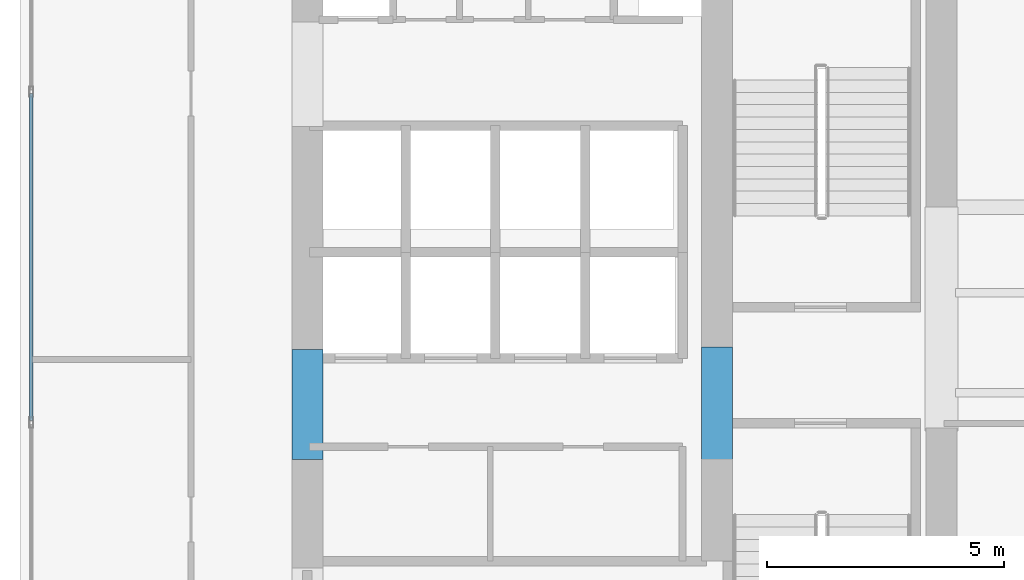
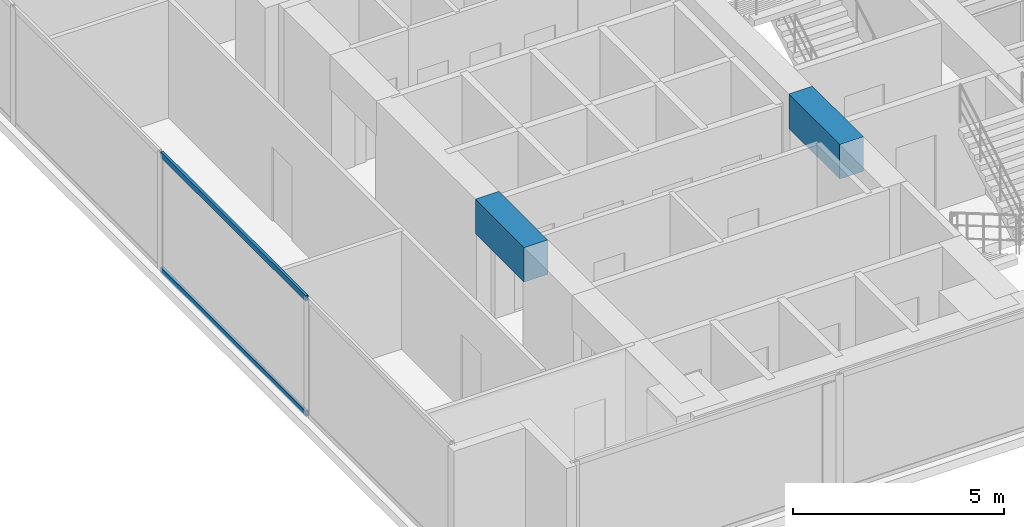
# One storey, part 3 of 25: 2 beams, 2 members, 1 element without a shape of its own.
"""IFC4 building model written with IfcOpenShell, lengths in metres."""

from ifc_helpers import new_model, si_unit, direction, frame, origin, origin_with_axes, origin_2d, place, context, subcontext, project, spatial, rectangle, hollow_rectangle, extrude, source, transform, mapped, material, layer, layer_set, material_profile, profile_set, type_object, element, aggregate, save


model = new_model("IFC4")

# Units and contexts
model_context = context("Model", 3, precision=1e-05, world=origin(), true_north=direction((0.0, 1.0)))
body_context = subcontext(model_context, "Body", "Model", "MODEL_VIEW")
ifc_project = project(units=[si_unit("LENGTHUNIT", "METRE"), si_unit("AREAUNIT", "SQUARE_METRE"), si_unit("VOLUMEUNIT", "CUBIC_METRE"), si_unit("PLANEANGLEUNIT", "RADIAN"), si_unit("MASSUNIT", "GRAM", prefix="KILO")], contexts=[model_context])

# Site, building, storey
site_placement = place(None, origin())
site = spatial("IfcSite", under=ifc_project, at=site_placement, CompositionType="ELEMENT")
building_placement = place(site_placement, origin())
building = spatial("IfcBuilding", under=site, at=building_placement, Name="Kolvaren Waterfront Exchange", CompositionType="ELEMENT")
storey_placement = place(building_placement, frame((0.0, 0.0, 137.300048828125)))
storey = spatial("IfcBuildingStorey", under=building, at=storey_placement, Name="L35", CompositionType="ELEMENT", Elevation=137.300048828125)

# Beams
ifc_material_1 = material(Name="Concrete C60/75", Category="concrete")
ifc_material_profile_1 = material_profile(ifc_material_1, rectangle(XDim=0.64990234375, YDim=1.0, at=origin_2d()), Name="RC-CB-1000x650")
ifc_profile_set_1 = profile_set([ifc_material_profile_1], Name="Concrete C60/75")
beam_type = type_object("IfcBeamType", Name="STR-CB-1000", PredefinedType="SPANDREL", material=ifc_profile_set_1)
beam_1_placement = place(storey_placement, frame((7.449951171875, 12.090087890625, 2.919921875), z_axis=(0.0, 1.0, 0.0), x_axis=(-1.0, 0.0, 0.0)))
element("IfcBeam", 1, at=beam_1_placement, inside=storey, type_object=beam_type, Name="L35 core coupling beam 4", PredefinedType="SPANDREL", context=body_context, shape_type="SweptSolid", body=[
    extrude(rectangle(XDim=0.64990234375, YDim=1.0, at=origin_2d()), origin(), (0.0, 0.0, 1.0), 2.31982421875),
])
beam_2_placement = place(storey_placement, frame((16.074951171875, 12.0400390625, 2.919921875), z_axis=(0.0, 1.0, 0.0), x_axis=(-1.0, 0.0, 0.0)))
element("IfcBeam", 2, at=beam_2_placement, inside=storey, type_object=beam_type, Name="L35 core coupling beam 6", PredefinedType="SPANDREL", context=body_context, shape_type="SweptSolid", body=[
    extrude(rectangle(XDim=0.64990234375, YDim=1.0, at=origin_2d()), origin(), (0.0, 0.0, 1.0), 2.419921875),
])

# Curtain wall, members
ifc_material_2 = material(Name="Anodised aluminium 6063-T6", Category="aluminium")
ifc_layer = layer(ifc_material_2, 0.219970703125, Name="Anodised aluminium 6063-T6")
ifc_layer_set = layer_set([ifc_layer], Name="Anodised aluminium 6063-T6")
curtain_wall_type = type_object("IfcCurtainWallType", Name="ARC-CW-SYS2", PredefinedType="USERDEFINED", material=ifc_layer_set)
curtain_wall_placement = place(storey_placement, origin())
curtain_wall = element("IfcCurtainWall", 3, at=curtain_wall_placement, inside=storey, type_object=curtain_wall_type, Name="L35 stick curtain wall CW2 (CW-L35-W)", ObjectType="STICK CURTAIN WALL", PredefinedType="USERDEFINED")
ifc_material_profile_2 = material_profile(ifc_material_2, hollow_rectangle(XDim=0.074951171875, YDim=0.159912109375, WallThickness=0.00439453125, at=origin_2d()), Name="ALU-TRN-160x75x4.5")
ifc_profile_set_2 = profile_set([ifc_material_profile_2], Name="Anodised aluminium 6063-T6")
member_type = type_object("IfcMemberType", Name="ARC-CWT-160", PredefinedType="USERDEFINED", material=ifc_profile_set_2)
shared_shape = source(origin_with_axes(), body_context, "Body", "SweptSolid", [
    extrude(hollow_rectangle(XDim=0.074951171875, YDim=0.159912109375, WallThickness=0.00439453125, at=origin_2d()), origin(), (0.0, 0.0, 1.0), 6.886474609375),
])
member_1_placement = place(storey_placement, frame((1.639892578125, 12.90673828125, 0.037353515625), z_axis=(0.0, 1.0, 0.0), x_axis=(-1.0, 0.0, 0.0)))
member_1 = element("IfcMember", 4, at=member_1_placement, type_object=member_type, Name="CW2 transom 2.1", ObjectType="TRANSOM", PredefinedType="USERDEFINED", context=body_context, shape_type="MappedRepresentation", body=[
    mapped(shared_shape, transform((0.0, 0.0, 0.0), x_axis=(1.0, 0.0, 0.0), y_axis=(0.0, 1.0, 0.0), z_axis=(0.0, 0.0, 1.0), scale=1.0)),
])
member_2_placement = place(storey_placement, frame((1.639892578125, 12.90673828125, 3.382568359375), z_axis=(0.0, 1.0, 0.0), x_axis=(-1.0, 0.0, 0.0)))
member_2 = element("IfcMember", 5, at=member_2_placement, type_object=member_type, Name="CW2 transom 2.2", ObjectType="TRANSOM", PredefinedType="USERDEFINED", context=body_context, shape_type="MappedRepresentation", body=[
    mapped(shared_shape, transform((0.0, 0.0, 0.0), x_axis=(1.0, 0.0, 0.0), y_axis=(0.0, 1.0, 0.0), z_axis=(0.0, 0.0, 1.0), scale=1.0)),
])
aggregate(curtain_wall, [member_1, member_2])

save(model, "model.ifc")
